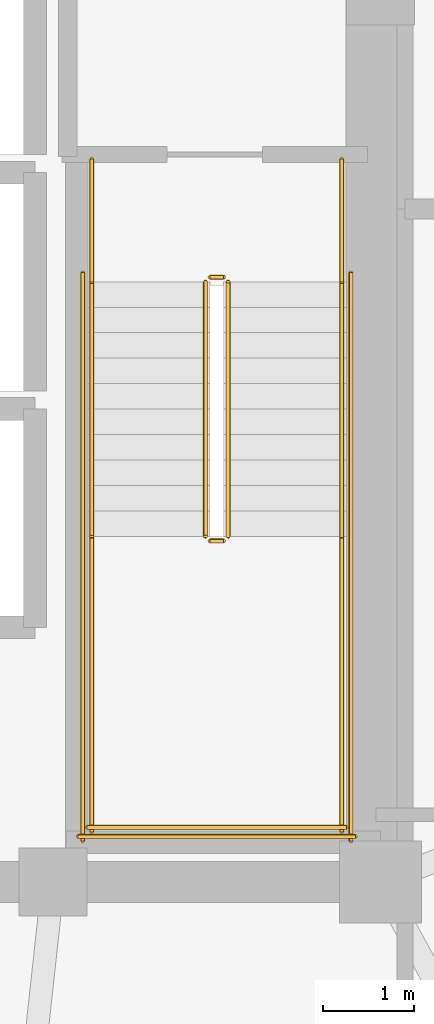
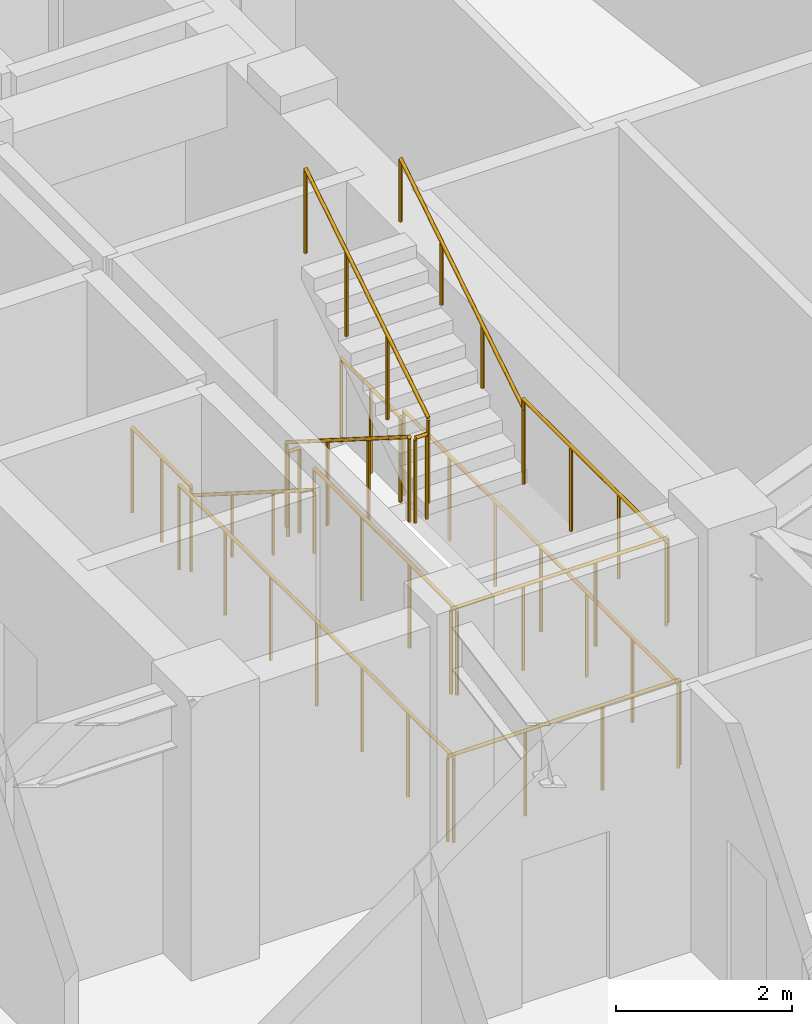
# One storey, part 12 of 12: 14 railings.
"""IFC4 building model written with IfcOpenShell, lengths in metres."""

from ifc_helpers import new_model, si_unit, direction, frame, origin, origin_2d, place, context, subcontext, project, spatial, circle, extrude, material, type_object, element, save


model = new_model("IFC4")

# Units and contexts
model_context = context("Model", 3, precision=1e-05, world=origin(), true_north=direction((0.0, 1.0)))
body_context = subcontext(model_context, "Body", "Model", "MODEL_VIEW")
ifc_project = project(units=[si_unit("LENGTHUNIT", "METRE"), si_unit("AREAUNIT", "SQUARE_METRE"), si_unit("VOLUMEUNIT", "CUBIC_METRE"), si_unit("PLANEANGLEUNIT", "RADIAN"), si_unit("MASSUNIT", "GRAM", prefix="KILO")], contexts=[model_context])

# Site, building, storey
site_placement = place(None, origin())
site = spatial("IfcSite", under=ifc_project, at=site_placement, CompositionType="ELEMENT")
building_placement = place(site_placement, origin())
building = spatial("IfcBuilding", under=site, at=building_placement, Name="Voryun Gate Residences", CompositionType="ELEMENT")
storey_placement = place(building_placement, frame((0.0, 0.0, 179.39990234375)))
storey = spatial("IfcBuildingStorey", under=building, at=storey_placement, Name="L44", CompositionType="ELEMENT", Elevation=179.39990234375)

# Railings
ifc_material_1 = material(Name="Painted steel", Category="steel")
railing_type_1 = type_object("IfcRailingType", Name="RAIL_STAIR_GUARD_1200", PredefinedType="GUARDRAIL", material=ifc_material_1)
railing_1_placement = place(storey_placement, frame((17.27490234375, -0.800048828125, 0.177490234375)))
element("IfcRailing", 1, at=railing_1_placement, inside=storey, type_object=railing_type_1, Name="L44 ST-E1 stair guard 1", PredefinedType="GUARDRAIL", context=body_context, shape_type="SweptSolid", body=[
    extrude(circle(Radius=0.02392578125, at=origin_2d()), frame((0.0, 0.0, 1.17578125), z_axis=(0.0, -0.844908973607, 0.534910110503), x_axis=(1.0, 0.0, 0.0)), (0.0, 0.0, 1.0), 3.31396484375),
    extrude(circle(Radius=0.02099609375, at=origin_2d()), origin(), (0.0, 0.0, 1.0), 1.15185546875),
    extrude(circle(Radius=0.02099609375, at=origin_2d()), frame((0.0, -0.933349609375, 0.5908203125)), (0.0, 0.0, 1.0), 1.15185546875),
    extrude(circle(Radius=0.02099609375, at=origin_2d()), frame((0.0, -1.86669921875, 1.181884765625)), (0.0, 0.0, 1.0), 1.15185546875),
    extrude(circle(Radius=0.02099609375, at=origin_2d()), frame((0.0, -2.800048828125, 1.772705078125)), (0.0, 0.0, 1.0), 1.15185546875),
])
railing_2_placement = place(storey_placement, frame((17.324951171875, -3.64990234375, 1.9501953125)))
element("IfcRailing", 2, at=railing_2_placement, inside=storey, type_object=railing_type_1, Name="L44 ST-E1 stair guard 2", PredefinedType="GUARDRAIL", context=body_context, shape_type="SweptSolid", body=[
    extrude(circle(Radius=0.02392578125, at=origin_2d()), frame((0.0, 0.0, 1.17578125), z_axis=(1.0, 0.0, 0.0), x_axis=(0.0, 1.0, 0.0)), (0.0, 0.0, 1.0), 0.150146484375),
    extrude(circle(Radius=0.02099609375, at=origin_2d()), origin(), (0.0, 0.0, 1.0), 1.15185546875),
    extrude(circle(Radius=0.02099609375, at=origin_2d()), frame((0.150146484375, 0.0, 0.0)), (0.0, 0.0, 1.0), 1.15185546875),
])
for number, where, name in (
    (3, (16.02490234375, -3.60009765625, 1.9501953125), "L44 ST-E1 stair guard 3"),
    (4, (18.77490234375, -3.60009765625, 1.9501953125), "L44 ST-E1 stair guard 4"),
):
    element("IfcRailing", number, at=place(storey_placement, frame(where)), inside=storey, type_object=railing_type_1, Name=name, PredefinedType="GUARDRAIL", context=body_context, shape_type="SweptSolid", body=[
        extrude(circle(Radius=0.02392578125, at=origin_2d()), frame((0.0, 0.0, 1.17578125), z_axis=(0.0, -1.0, 0.0), x_axis=(1.0, 0.0, 0.0)), (0.0, 0.0, 1.0), 3.25),
        extrude(circle(Radius=0.02099609375, at=origin_2d()), origin(), (0.0, 0.0, 1.0), 1.15185546875),
        extrude(circle(Radius=0.02099609375, at=origin_2d()), frame((0.0, -1.083251953125, 0.0)), (0.0, 0.0, 1.0), 1.15185546875),
        extrude(circle(Radius=0.02099609375, at=origin_2d()), frame((0.0, -2.166748046875, 0.0)), (0.0, 0.0, 1.0), 1.15185546875),
        extrude(circle(Radius=0.02099609375, at=origin_2d()), frame((0.0, -3.25, 0.0)), (0.0, 0.0, 1.0), 1.15185546875),
    ])
railing_3_placement = place(storey_placement, frame((15.97509765625, -6.800048828125, 1.9501953125)))
element("IfcRailing", 5, at=railing_3_placement, inside=storey, type_object=railing_type_1, Name="L44 ST-E1 stair guard 5", PredefinedType="GUARDRAIL", context=body_context, shape_type="SweptSolid", body=[
    extrude(circle(Radius=0.02392578125, at=origin_2d()), frame((0.0, 0.0, 1.17578125), z_axis=(1.0, 0.0, 0.0), x_axis=(0.0, 1.0, 0.0)), (0.0, 0.0, 1.0), 2.849853515625),
    extrude(circle(Radius=0.02099609375, at=origin_2d()), origin(), (0.0, 0.0, 1.0), 1.15185546875),
    extrude(circle(Radius=0.02099609375, at=origin_2d()), frame((0.949951171875, 0.0, 0.0)), (0.0, 0.0, 1.0), 1.15185546875),
    extrude(circle(Radius=0.02099609375, at=origin_2d()), frame((1.89990234375, 0.0, 0.0)), (0.0, 0.0, 1.0), 1.15185546875),
    extrude(circle(Radius=0.02099609375, at=origin_2d()), frame((2.849853515625, 0.0, 0.0)), (0.0, 0.0, 1.0), 1.15185546875),
])
railing_4_placement = place(storey_placement, frame((17.52490234375, -3.60009765625, 2.12744140625)))
element("IfcRailing", 6, at=railing_4_placement, inside=storey, type_object=railing_type_1, Name="L44 ST-E1 stair guard 6", PredefinedType="GUARDRAIL", context=body_context, shape_type="SweptSolid", body=[
    extrude(circle(Radius=0.02392578125, at=origin_2d()), frame((0.0, 0.0, 1.17578125), z_axis=(0.0, 0.844908973607, 0.534910110503), x_axis=(-1.0, 0.0, 0.0)), (0.0, 0.0, 1.0), 3.31396484375),
    extrude(circle(Radius=0.02099609375, at=origin_2d()), origin(), (0.0, 0.0, 1.0), 1.15185546875),
    extrude(circle(Radius=0.02099609375, at=origin_2d()), frame((0.0, 0.933349609375, 0.5908203125)), (0.0, 0.0, 1.0), 1.15185546875),
    extrude(circle(Radius=0.02099609375, at=origin_2d()), frame((0.0, 1.86669921875, 1.181884765625)), (0.0, 0.0, 1.0), 1.15185546875),
    extrude(circle(Radius=0.02099609375, at=origin_2d()), frame((0.0, 2.800048828125, 1.772705078125)), (0.0, 0.0, 1.0), 1.15185546875),
])
railing_5_placement = place(storey_placement, frame((17.324951171875, -0.75, 0.0)))
element("IfcRailing", 7, at=railing_5_placement, inside=storey, type_object=railing_type_1, Name="L44 ST-E1 stair guard 7", PredefinedType="GUARDRAIL", context=body_context, shape_type="SweptSolid", body=[
    extrude(circle(Radius=0.02392578125, at=origin_2d()), frame((0.0, 0.0, 1.17578125), z_axis=(1.0, 0.0, 0.0), x_axis=(0.0, 1.0, 0.0)), (0.0, 0.0, 1.0), 0.150146484375),
    extrude(circle(Radius=0.02099609375, at=origin_2d()), origin(), (0.0, 0.0, 1.0), 1.15185546875),
    extrude(circle(Radius=0.02099609375, at=origin_2d()), frame((0.150146484375, 0.0, 0.0)), (0.0, 0.0, 1.0), 1.15185546875),
])
for number, where, name in (
    (8, (16.02490234375, 0.550048828125, 0.0), "L44 ST-E1 stair guard 8"),
    (9, (18.77490234375, 0.550048828125, 0.0), "L44 ST-E1 stair guard 9"),
):
    element("IfcRailing", number, at=place(storey_placement, frame(where)), inside=storey, type_object=railing_type_1, Name=name, PredefinedType="GUARDRAIL", context=body_context, shape_type="SweptSolid", body=[
        extrude(circle(Radius=0.02392578125, at=origin_2d()), frame((0.0, 0.0, 1.17578125), z_axis=(0.0, -1.0, 0.0), x_axis=(1.0, 0.0, 0.0)), (0.0, 0.0, 1.0), 1.35009765625),
        extrude(circle(Radius=0.02099609375, at=origin_2d()), origin(), (0.0, 0.0, 1.0), 1.15185546875),
        extrude(circle(Radius=0.02099609375, at=origin_2d()), frame((0.0, -0.675048828125, 0.0)), (0.0, 0.0, 1.0), 1.15185546875),
        extrude(circle(Radius=0.02099609375, at=origin_2d()), frame((0.0, -1.35009765625, 0.0)), (0.0, 0.0, 1.0), 1.15185546875),
    ])
for number, where, name in (
    (10, (15.925048828125, -0.699951171875, 0.0), "L44 ST-E1 stair guard 10"),
    (11, (18.875, -0.699951171875, 0.0), "L44 ST-E1 stair guard 11"),
):
    element("IfcRailing", number, at=place(storey_placement, frame(where)), inside=storey, type_object=railing_type_1, Name=name, PredefinedType="GUARDRAIL", context=body_context, shape_type="SweptSolid", body=[
        extrude(circle(Radius=0.02392578125, at=origin_2d()), frame((0.0, 0.0, 1.17578125), z_axis=(0.0, -1.0, 0.0), x_axis=(1.0, 0.0, 0.0)), (0.0, 0.0, 1.0), 6.25),
        extrude(circle(Radius=0.02099609375, at=origin_2d()), origin(), (0.0, 0.0, 1.0), 1.15185546875),
        extrude(circle(Radius=0.02099609375, at=origin_2d()), frame((0.0, -1.041748046875, 0.0)), (0.0, 0.0, 1.0), 1.15185546875),
        extrude(circle(Radius=0.02099609375, at=origin_2d()), frame((0.0, -2.083251953125, 0.0)), (0.0, 0.0, 1.0), 1.15185546875),
        extrude(circle(Radius=0.02099609375, at=origin_2d()), frame((0.0, -3.125, 0.0)), (0.0, 0.0, 1.0), 1.15185546875),
        extrude(circle(Radius=0.02099609375, at=origin_2d()), frame((0.0, -4.166748046875, 0.0)), (0.0, 0.0, 1.0), 1.15185546875),
        extrude(circle(Radius=0.02099609375, at=origin_2d()), frame((0.0, -5.208251953125, 0.0)), (0.0, 0.0, 1.0), 1.15185546875),
        extrude(circle(Radius=0.02099609375, at=origin_2d()), frame((0.0, -6.25, 0.0)), (0.0, 0.0, 1.0), 1.15185546875),
    ])
railing_6_placement = place(storey_placement, frame((15.875, -6.89990234375, 0.0)))
element("IfcRailing", 12, at=railing_6_placement, inside=storey, type_object=railing_type_1, Name="L44 ST-E1 stair guard 12", PredefinedType="GUARDRAIL", context=body_context, shape_type="SweptSolid", body=[
    extrude(circle(Radius=0.02392578125, at=origin_2d()), frame((0.0, 0.0, 1.17578125), z_axis=(1.0, 0.0, 0.0), x_axis=(0.0, 1.0, 0.0)), (0.0, 0.0, 1.0), 3.050048828125),
    extrude(circle(Radius=0.02099609375, at=origin_2d()), origin(), (0.0, 0.0, 1.0), 1.15185546875),
    extrude(circle(Radius=0.02099609375, at=origin_2d()), frame((1.0166015625, 0.0, 0.0)), (0.0, 0.0, 1.0), 1.15185546875),
    extrude(circle(Radius=0.02099609375, at=origin_2d()), frame((2.033447265625, 0.0, 0.0)), (0.0, 0.0, 1.0), 1.15185546875),
    extrude(circle(Radius=0.02099609375, at=origin_2d()), frame((3.050048828125, 0.0, 0.0)), (0.0, 0.0, 1.0), 1.15185546875),
])
ifc_material_2 = material(Name="Painted steel", Category="steel")
railing_type_2 = type_object("IfcRailingType", Name="RAIL_STAIR_HANDRAIL_900", PredefinedType="HANDRAIL", material=ifc_material_2)
railing_7_placement = place(storey_placement, frame((16.02490234375, -0.800048828125, 0.177490234375)))
element("IfcRailing", 13, at=railing_7_placement, inside=storey, type_object=railing_type_2, Name="L44 ST-E1 stair handrail 1", PredefinedType="HANDRAIL", context=body_context, shape_type="SweptSolid", body=[
    extrude(circle(Radius=0.02392578125, at=origin_2d()), frame((0.0, 0.0, 0.8759765625), z_axis=(0.0, -0.844908973607, 0.534910110503), x_axis=(1.0, 0.0, 0.0)), (0.0, 0.0, 1.0), 3.31396484375),
    extrude(circle(Radius=0.02099609375, at=origin_2d()), origin(), (0.0, 0.0, 1.0), 0.851806640625),
    extrude(circle(Radius=0.02099609375, at=origin_2d()), frame((0.0, -0.933349609375, 0.5908203125)), (0.0, 0.0, 1.0), 0.851806640625),
    extrude(circle(Radius=0.02099609375, at=origin_2d()), frame((0.0, -1.86669921875, 1.181884765625)), (0.0, 0.0, 1.0), 0.851806640625),
    extrude(circle(Radius=0.02099609375, at=origin_2d()), frame((0.0, -2.800048828125, 1.772705078125)), (0.0, 0.0, 1.0), 0.851806640625),
])
railing_8_placement = place(storey_placement, frame((18.77490234375, -3.60009765625, 2.12744140625)))
element("IfcRailing", 14, at=railing_8_placement, inside=storey, type_object=railing_type_2, Name="L44 ST-E1 stair handrail 2", PredefinedType="HANDRAIL", context=body_context, shape_type="SweptSolid", body=[
    extrude(circle(Radius=0.02392578125, at=origin_2d()), frame((0.0, 0.0, 0.8759765625), z_axis=(0.0, 0.844908973607, 0.534910110503), x_axis=(-1.0, 0.0, 0.0)), (0.0, 0.0, 1.0), 3.31396484375),
    extrude(circle(Radius=0.02099609375, at=origin_2d()), origin(), (0.0, 0.0, 1.0), 0.851806640625),
    extrude(circle(Radius=0.02099609375, at=origin_2d()), frame((0.0, 0.933349609375, 0.5908203125)), (0.0, 0.0, 1.0), 0.851806640625),
    extrude(circle(Radius=0.02099609375, at=origin_2d()), frame((0.0, 1.86669921875, 1.181884765625)), (0.0, 0.0, 1.0), 0.851806640625),
    extrude(circle(Radius=0.02099609375, at=origin_2d()), frame((0.0, 2.800048828125, 1.772705078125)), (0.0, 0.0, 1.0), 0.851806640625),
])

save(model, "model.ifc")
